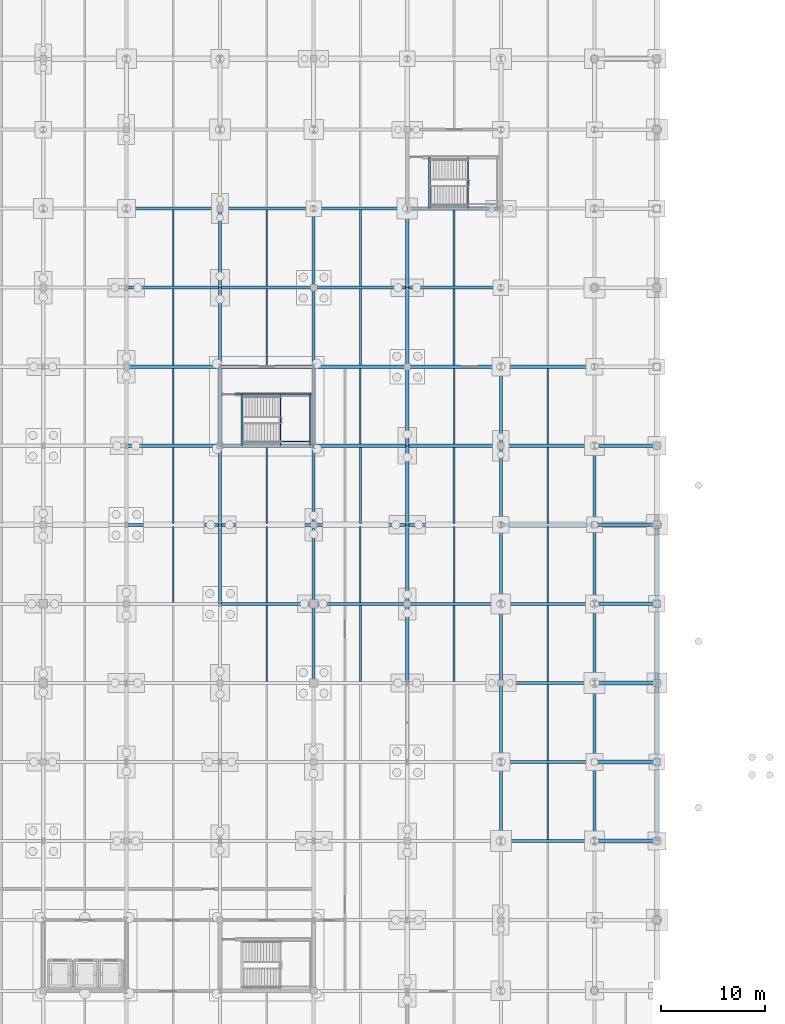
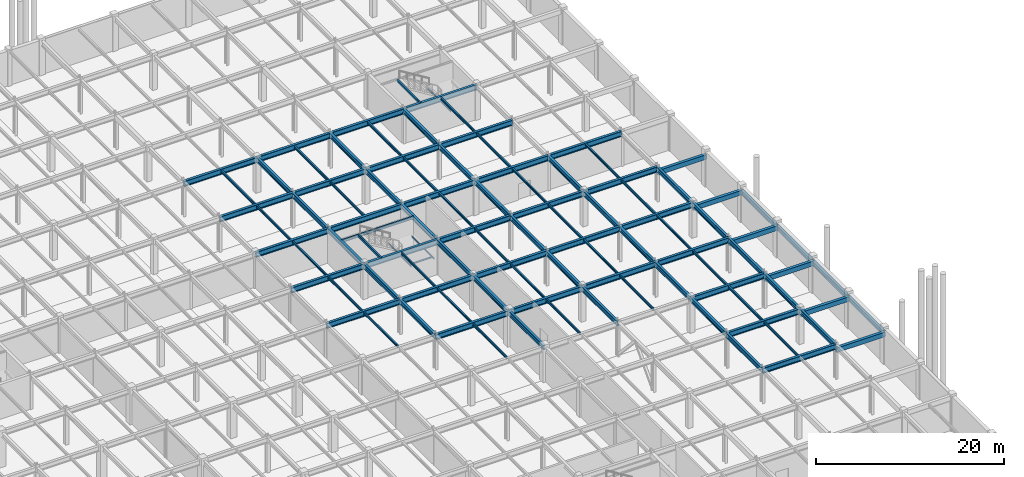
# One storey, part 36 of 53: 103 beams.
"""IFC4 building model written with IfcOpenShell, lengths in metres."""

from ifc_helpers import new_model, si_unit, direction, frame, origin, origin_2d, place, context, subcontext, project, spatial, rectangle, hollow_rectangle, i_section, extrude, material, material_profile, profile_set, type_object, element, save


model = new_model("IFC4")

# Units and contexts
model_context = context("Model", 3, precision=1e-05, world=origin(), true_north=direction((0.0, 1.0)))
body_context = subcontext(model_context, "Body", "Model", "MODEL_VIEW")
ifc_project = project(units=[si_unit("LENGTHUNIT", "METRE"), si_unit("AREAUNIT", "SQUARE_METRE"), si_unit("VOLUMEUNIT", "CUBIC_METRE"), si_unit("PLANEANGLEUNIT", "RADIAN"), si_unit("MASSUNIT", "GRAM", prefix="KILO")], contexts=[model_context])

# Site, building, storey
site_placement = place(None, origin())
site = spatial("IfcSite", under=ifc_project, at=site_placement, CompositionType="ELEMENT")
building_placement = place(site_placement, origin())
building = spatial("IfcBuilding", under=site, at=building_placement, Name="Shalkamar Park Central Library", CompositionType="ELEMENT")
storey_placement = place(building_placement, frame((0.0, 0.0, -4.800048828125)))
storey = spatial("IfcBuildingStorey", under=building, at=storey_placement, Name="B1", CompositionType="ELEMENT", Elevation=-4.800048828125)

# Beams
ifc_material_1 = material(Name="Steel S355", Category="steel")
ifc_material_profile_1 = material_profile(ifc_material_1, i_section(OverallWidth=0.10009765625, OverallDepth=0.199951171875, WebThickness=0.005615234375, FlangeThickness=0.008544921875, FilletRadius=0.011962890625, at=origin_2d()), Name="IPE 200")
ifc_profile_set_1 = profile_set([ifc_material_profile_1], Name="Steel S355")
beam_type_1 = type_object("IfcBeamType", Name="Composite Floor Joist IPE200", PredefinedType="JOIST", material=ifc_profile_set_1)
for number, where, z_axis, x_axis, name in (
    (1, (251.824951171875, 300.800048828125, 2.02001953125), (0.0, 1.0, 0.0), (-1.0, 0.0, 0.0), "Stair Half-Landing Beam ST-P4-B1-1"),
    (2, (254.64501953125, 300.800048828125, 2.02001953125), (0.0, 1.0, 0.0), (-1.0, 0.0, 0.0), "Stair Half-Landing Beam ST-P4-B1-2"),
):
    element("IfcBeam", number, at=place(storey_placement, frame(where, z_axis=z_axis, x_axis=x_axis)), inside=storey, type_object=beam_type_1, Name=name, PredefinedType="JOIST", context=body_context, shape_type="SweptSolid", body=[
        extrude(i_section(OverallWidth=0.10009765625, OverallDepth=0.199951171875, WebThickness=0.005615234375, FlangeThickness=0.008544921875, FilletRadius=0.011962890625, at=origin_2d()), origin(), (0.0, 0.0, 1.0), 4.949951171875),
    ])
beam_1_placement = place(storey_placement, frame((251.824951171875, 301.22509765625, 2.02001953125), z_axis=(1.0, 0.0, 0.0), x_axis=(0.0, 1.0, 0.0)))
element("IfcBeam", 3, at=beam_1_placement, inside=storey, type_object=beam_type_1, Name="Stair Half-Landing Cross Tie ST-P4-B1-3", PredefinedType="JOIST", context=body_context, shape_type="SweptSolid", body=[
    extrude(i_section(OverallWidth=0.10009765625, OverallDepth=0.199951171875, WebThickness=0.005615234375, FlangeThickness=0.008544921875, FilletRadius=0.011962890625, at=origin_2d()), origin(), (0.0, 0.0, 1.0), 2.820068359375),
])
beam_2_placement = place(storey_placement, frame((269.824951171875, 323.60009765625, 2.02001953125), z_axis=(0.0, 1.0, 0.0), x_axis=(-1.0, 0.0, 0.0)))
element("IfcBeam", 4, at=beam_2_placement, inside=storey, type_object=beam_type_1, Name="Stair Half-Landing Beam ST-P6-B1-1", PredefinedType="JOIST", context=body_context, shape_type="SweptSolid", body=[
    extrude(i_section(OverallWidth=0.10009765625, OverallDepth=0.199951171875, WebThickness=0.005615234375, FlangeThickness=0.008544921875, FilletRadius=0.011962890625, at=origin_2d()), origin(), (0.0, 0.0, 1.0), 4.949951171875),
])
ifc_material_profile_2 = material_profile(ifc_material_1, i_section(OverallWidth=0.14990234375, OverallDepth=0.300048828125, WebThickness=0.007080078125, FlangeThickness=0.0107421875, FilletRadius=0.014892578125, at=origin_2d()), Name="IPE 300")
ifc_profile_set_2 = profile_set([ifc_material_profile_2], Name="Steel S355")
beam_type_2 = type_object("IfcBeamType", Name="Composite Floor Joist IPE300", PredefinedType="JOIST", material=ifc_profile_set_2)
for number, where, z_axis, x_axis, name in (
    (5, (241.5, 285.748046875, 4.360107421875), (0.0, 1.0, 0.0), (-1.0, 0.0, 0.0), "Composite Joist 16/G-1 (B1)"),
    (6, (241.5, 300.947998046875, 4.360107421875), (0.0, 1.0, 0.0), (-1.0, 0.0, 0.0), "Composite Joist 16/J-1 (B1)"),
    (7, (250.5, 285.748046875, 4.360107421875), (0.0, 1.0, 0.0), (-1.0, 0.0, 0.0), "Composite Joist 17/G-1 (B1)"),
    (8, (259.5, 285.748046875, 4.360107421875), (0.0, 1.0, 0.0), (-1.0, 0.0, 0.0), "Composite Joist 18/G-1 (B1)"),
    (9, (259.5, 300.947998046875, 4.360107421875), (0.0, 1.0, 0.0), (-1.0, 0.0, 0.0), "Composite Joist 18/J-1 (B1)"),
    (10, (268.5, 285.748046875, 4.360107421875), (0.0, 1.0, 0.0), (-1.0, 0.0, 0.0), "Composite Joist 19/G-1 (B1)"),
    (11, (268.5, 300.947998046875, 4.360107421875), (0.0, 1.0, 0.0), (-1.0, 0.0, 0.0), "Composite Joist 19/J-1 (B1)"),
    (12, (277.5, 262.947998046875, 4.360107421875), (0.0, 1.0, 0.0), (-1.0, 0.0, 0.0), "Composite Joist 20/D-1 (B1)"),
    (13, (277.5, 285.748046875, 4.360107421875), (0.0, 1.0, 0.0), (-1.0, 0.0, 0.0), "Composite Joist 20/G-1 (B1)"),
    (14, (277.5, 300.947998046875, 4.360107421875), (0.0, 1.0, 0.0), (-1.0, 0.0, 0.0), "Composite Joist 20/J-1 (B1)"),
):
    element("IfcBeam", number, at=place(storey_placement, frame(where, z_axis=z_axis, x_axis=x_axis)), inside=storey, type_object=beam_type_2, Name=name, PredefinedType="JOIST", context=body_context, shape_type="SweptSolid", body=[
        extrude(i_section(OverallWidth=0.14990234375, OverallDepth=0.300048828125, WebThickness=0.007080078125, FlangeThickness=0.0107421875, FilletRadius=0.014892578125, at=origin_2d()), origin(), (0.0, 0.0, 1.0), 7.303955078125),
    ])
ifc_material_profile_3 = material_profile(ifc_material_1, i_section(OverallWidth=0.159912109375, OverallDepth=0.330078125, WebThickness=0.007568359375, FlangeThickness=0.011474609375, FilletRadius=0.01806640625, at=origin_2d()), Name="IPE 330")
ifc_profile_set_3 = profile_set([ifc_material_profile_3], Name="Steel S355")
beam_type_3 = type_object("IfcBeamType", Name="Composite Floor Joist IPE330", PredefinedType="JOIST", material=ifc_profile_set_3)
beam_3_placement = place(storey_placement, frame((241.5, 293.347900390625, 4.344970703125), z_axis=(0.0, 1.0, 0.0), x_axis=(-1.0, 0.0, 0.0)))
element("IfcBeam", 15, at=beam_3_placement, inside=storey, type_object=beam_type_3, Name="Composite Joist 16/H-1 (B1)", PredefinedType="JOIST", context=body_context, shape_type="SweptSolid", body=[
    extrude(i_section(OverallWidth=0.159912109375, OverallDepth=0.330078125, WebThickness=0.007568359375, FlangeThickness=0.011474609375, FilletRadius=0.01806640625, at=origin_2d()), origin(), (0.0, 0.0, 1.0), 7.30419921875),
])
for number, where, z_axis, x_axis, name in (
    (16, (241.5, 308.548095703125, 4.344970703125), (0.0, 1.0, 0.0), (-1.0, 0.0, 0.0), "Composite Joist 16/K-1 (B1)"),
    (17, (241.5, 316.14794921875, 4.344970703125), (0.0, 1.0, 0.0), (-1.0, 0.0, 0.0), "Composite Joist 16/L-1 (B1)"),
    (18, (250.5, 278.14794921875, 4.344970703125), (0.0, 1.0, 0.0), (-1.0, 0.0, 0.0), "Composite Joist 17/F-1 (B1)"),
):
    element("IfcBeam", number, at=place(storey_placement, frame(where, z_axis=z_axis, x_axis=x_axis)), inside=storey, type_object=beam_type_3, Name=name, PredefinedType="JOIST", context=body_context, shape_type="SweptSolid", body=[
        extrude(i_section(OverallWidth=0.159912109375, OverallDepth=0.330078125, WebThickness=0.007568359375, FlangeThickness=0.011474609375, FilletRadius=0.01806640625, at=origin_2d()), origin(), (0.0, 0.0, 1.0), 7.303955078125),
    ])
beam_4_placement = place(storey_placement, frame((250.5, 293.347900390625, 4.344970703125), z_axis=(0.0, 1.0, 0.0), x_axis=(-1.0, 0.0, 0.0)))
element("IfcBeam", 19, at=beam_4_placement, inside=storey, type_object=beam_type_3, Name="Composite Joist 17/H-1 (B1)", PredefinedType="JOIST", context=body_context, shape_type="SweptSolid", body=[
    extrude(i_section(OverallWidth=0.159912109375, OverallDepth=0.330078125, WebThickness=0.007568359375, FlangeThickness=0.011474609375, FilletRadius=0.01806640625, at=origin_2d()), origin(), (0.0, 0.0, 1.0), 7.30419921875),
])
for number, where, z_axis, x_axis, name in (
    (20, (250.5, 308.548095703125, 4.344970703125), (0.0, 1.0, 0.0), (-1.0, 0.0, 0.0), "Composite Joist 17/K-1 (B1)"),
    (21, (250.5, 316.14794921875, 4.344970703125), (0.0, 1.0, 0.0), (-1.0, 0.0, 0.0), "Composite Joist 17/L-1 (B1)"),
    (22, (259.5, 278.14794921875, 4.344970703125), (0.0, 1.0, 0.0), (-1.0, 0.0, 0.0), "Composite Joist 18/F-1 (B1)"),
):
    element("IfcBeam", number, at=place(storey_placement, frame(where, z_axis=z_axis, x_axis=x_axis)), inside=storey, type_object=beam_type_3, Name=name, PredefinedType="JOIST", context=body_context, shape_type="SweptSolid", body=[
        extrude(i_section(OverallWidth=0.159912109375, OverallDepth=0.330078125, WebThickness=0.007568359375, FlangeThickness=0.011474609375, FilletRadius=0.01806640625, at=origin_2d()), origin(), (0.0, 0.0, 1.0), 7.303955078125),
    ])
beam_5_placement = place(storey_placement, frame((259.5, 293.347900390625, 4.344970703125), z_axis=(0.0, 1.0, 0.0), x_axis=(-1.0, 0.0, 0.0)))
element("IfcBeam", 23, at=beam_5_placement, inside=storey, type_object=beam_type_3, Name="Composite Joist 18/H-1 (B1)", PredefinedType="JOIST", context=body_context, shape_type="SweptSolid", body=[
    extrude(i_section(OverallWidth=0.159912109375, OverallDepth=0.330078125, WebThickness=0.007568359375, FlangeThickness=0.011474609375, FilletRadius=0.01806640625, at=origin_2d()), origin(), (0.0, 0.0, 1.0), 7.30419921875),
])
for number, where, z_axis, x_axis, name in (
    (24, (259.5, 308.548095703125, 4.344970703125), (0.0, 1.0, 0.0), (-1.0, 0.0, 0.0), "Composite Joist 18/K-1 (B1)"),
    (25, (259.5, 316.14794921875, 4.344970703125), (0.0, 1.0, 0.0), (-1.0, 0.0, 0.0), "Composite Joist 18/L-1 (B1)"),
    (26, (268.5, 278.14794921875, 4.344970703125), (0.0, 1.0, 0.0), (-1.0, 0.0, 0.0), "Composite Joist 19/F-1 (B1)"),
):
    element("IfcBeam", number, at=place(storey_placement, frame(where, z_axis=z_axis, x_axis=x_axis)), inside=storey, type_object=beam_type_3, Name=name, PredefinedType="JOIST", context=body_context, shape_type="SweptSolid", body=[
        extrude(i_section(OverallWidth=0.159912109375, OverallDepth=0.330078125, WebThickness=0.007568359375, FlangeThickness=0.011474609375, FilletRadius=0.01806640625, at=origin_2d()), origin(), (0.0, 0.0, 1.0), 7.303955078125),
    ])
beam_6_placement = place(storey_placement, frame((268.5, 293.347900390625, 4.344970703125), z_axis=(0.0, 1.0, 0.0), x_axis=(-1.0, 0.0, 0.0)))
element("IfcBeam", 27, at=beam_6_placement, inside=storey, type_object=beam_type_3, Name="Composite Joist 19/H-1 (B1)", PredefinedType="JOIST", context=body_context, shape_type="SweptSolid", body=[
    extrude(i_section(OverallWidth=0.159912109375, OverallDepth=0.330078125, WebThickness=0.007568359375, FlangeThickness=0.011474609375, FilletRadius=0.01806640625, at=origin_2d()), origin(), (0.0, 0.0, 1.0), 7.30419921875),
])
for number, where, z_axis, x_axis, name in (
    (28, (268.5, 308.548095703125, 4.344970703125), (0.0, 1.0, 0.0), (-1.0, 0.0, 0.0), "Composite Joist 19/K-1 (B1)"),
    (29, (268.5, 316.14794921875, 4.344970703125), (0.0, 1.0, 0.0), (-1.0, 0.0, 0.0), "Composite Joist 19/L-1 (B1)"),
    (30, (277.5, 270.548095703125, 4.344970703125), (0.0, 1.0, 0.0), (-1.0, 0.0, 0.0), "Composite Joist 20/E-1 (B1)"),
    (31, (277.5, 278.14794921875, 4.344970703125), (0.0, 1.0, 0.0), (-1.0, 0.0, 0.0), "Composite Joist 20/F-1 (B1)"),
):
    element("IfcBeam", number, at=place(storey_placement, frame(where, z_axis=z_axis, x_axis=x_axis)), inside=storey, type_object=beam_type_3, Name=name, PredefinedType="JOIST", context=body_context, shape_type="SweptSolid", body=[
        extrude(i_section(OverallWidth=0.159912109375, OverallDepth=0.330078125, WebThickness=0.007568359375, FlangeThickness=0.011474609375, FilletRadius=0.01806640625, at=origin_2d()), origin(), (0.0, 0.0, 1.0), 7.303955078125),
    ])
beam_7_placement = place(storey_placement, frame((277.5, 293.347900390625, 4.344970703125), z_axis=(0.0, 1.0, 0.0), x_axis=(-1.0, 0.0, 0.0)))
element("IfcBeam", 32, at=beam_7_placement, inside=storey, type_object=beam_type_3, Name="Composite Joist 20/H-1 (B1)", PredefinedType="JOIST", context=body_context, shape_type="SweptSolid", body=[
    extrude(i_section(OverallWidth=0.159912109375, OverallDepth=0.330078125, WebThickness=0.007568359375, FlangeThickness=0.011474609375, FilletRadius=0.01806640625, at=origin_2d()), origin(), (0.0, 0.0, 1.0), 7.30419921875),
])
ifc_material_profile_4 = material_profile(ifc_material_1, i_section(OverallWidth=0.300048828125, OverallDepth=0.60009765625, WebThickness=0.015380859375, FlangeThickness=0.030029296875, FilletRadius=0.027099609375, at=origin_2d()), Name="HEB 600")
ifc_profile_set_4 = profile_set([ifc_material_profile_4], Name="Steel S355")
beam_type_4 = type_object("IfcBeamType", Name="Primary Girder HEB600", PredefinedType="BEAM", material=ifc_profile_set_4)
beam_8_placement = place(storey_placement, frame((246.0, 285.60009765625, 4.2099609375), z_axis=(0.0, 1.0, 0.0), x_axis=(-1.0, 0.0, 0.0)))
element("IfcBeam", 33, at=beam_8_placement, inside=storey, type_object=beam_type_4, Name="Beam 17:G-H (B1)", PredefinedType="BEAM", context=body_context, shape_type="SweptSolid", body=[
    extrude(i_section(OverallWidth=0.300048828125, OverallDepth=0.60009765625, WebThickness=0.015380859375, FlangeThickness=0.030029296875, FilletRadius=0.027099609375, at=origin_2d()), origin(), (0.0, 0.0, 1.0), 7.599853515625),
])
beam_9_placement = place(storey_placement, frame((246.0, 293.199951171875, 4.2099609375), z_axis=(0.0, 1.0, 0.0), x_axis=(-1.0, 0.0, 0.0)))
element("IfcBeam", 34, at=beam_9_placement, inside=storey, type_object=beam_type_4, Name="Beam 17:H-J (B1)", PredefinedType="BEAM", context=body_context, shape_type="SweptSolid", body=[
    extrude(i_section(OverallWidth=0.300048828125, OverallDepth=0.60009765625, WebThickness=0.015380859375, FlangeThickness=0.030029296875, FilletRadius=0.027099609375, at=origin_2d()), origin(), (0.0, 0.0, 1.0), 7.60009765625),
])
beam_10_placement = place(storey_placement, frame((246.0, 300.800048828125, 4.2099609375), z_axis=(0.0, 1.0, 0.0), x_axis=(-1.0, 0.0, 0.0)))
element("IfcBeam", 35, at=beam_10_placement, inside=storey, type_object=beam_type_4, Name="Beam 17:J-K (B1)", PredefinedType="BEAM", context=body_context, shape_type="SweptSolid", body=[
    extrude(i_section(OverallWidth=0.300048828125, OverallDepth=0.60009765625, WebThickness=0.015380859375, FlangeThickness=0.030029296875, FilletRadius=0.027099609375, at=origin_2d()), origin(), (0.0, 0.0, 1.0), 7.599853515625),
])
for number, where, z_axis, x_axis, name in (
    (36, (246.0, 308.39990234375, 4.2099609375), (0.0, 1.0, 0.0), (-1.0, 0.0, 0.0), "Beam 17:K-L (B1)"),
    (37, (246.0, 316.0, 4.2099609375), (0.0, 1.0, 0.0), (-1.0, 0.0, 0.0), "Beam 17:L-M (B1)"),
    (38, (255.0, 278.0, 4.2099609375), (0.0, 1.0, 0.0), (-1.0, 0.0, 0.0), "Beam 18:F-G (B1)"),
):
    element("IfcBeam", number, at=place(storey_placement, frame(where, z_axis=z_axis, x_axis=x_axis)), inside=storey, type_object=beam_type_4, Name=name, PredefinedType="BEAM", context=body_context, shape_type="SweptSolid", body=[
        extrude(i_section(OverallWidth=0.300048828125, OverallDepth=0.60009765625, WebThickness=0.015380859375, FlangeThickness=0.030029296875, FilletRadius=0.027099609375, at=origin_2d()), origin(), (0.0, 0.0, 1.0), 7.60009765625),
    ])
beam_11_placement = place(storey_placement, frame((255.0, 285.60009765625, 4.2099609375), z_axis=(0.0, 1.0, 0.0), x_axis=(-1.0, 0.0, 0.0)))
element("IfcBeam", 39, at=beam_11_placement, inside=storey, type_object=beam_type_4, Name="Beam 18:G-H (B1)", PredefinedType="BEAM", context=body_context, shape_type="SweptSolid", body=[
    extrude(i_section(OverallWidth=0.300048828125, OverallDepth=0.60009765625, WebThickness=0.015380859375, FlangeThickness=0.030029296875, FilletRadius=0.027099609375, at=origin_2d()), origin(), (0.0, 0.0, 1.0), 7.599853515625),
])
beam_12_placement = place(storey_placement, frame((255.0, 293.199951171875, 4.2099609375), z_axis=(0.0, 1.0, 0.0), x_axis=(-1.0, 0.0, 0.0)))
element("IfcBeam", 40, at=beam_12_placement, inside=storey, type_object=beam_type_4, Name="Beam 18:H-J (B1)", PredefinedType="BEAM", context=body_context, shape_type="SweptSolid", body=[
    extrude(i_section(OverallWidth=0.300048828125, OverallDepth=0.60009765625, WebThickness=0.015380859375, FlangeThickness=0.030029296875, FilletRadius=0.027099609375, at=origin_2d()), origin(), (0.0, 0.0, 1.0), 7.60009765625),
])
beam_13_placement = place(storey_placement, frame((255.0, 300.800048828125, 4.2099609375), z_axis=(0.0, 1.0, 0.0), x_axis=(-1.0, 0.0, 0.0)))
element("IfcBeam", 41, at=beam_13_placement, inside=storey, type_object=beam_type_4, Name="Beam 18:J-K (B1)", PredefinedType="BEAM", context=body_context, shape_type="SweptSolid", body=[
    extrude(i_section(OverallWidth=0.300048828125, OverallDepth=0.60009765625, WebThickness=0.015380859375, FlangeThickness=0.030029296875, FilletRadius=0.027099609375, at=origin_2d()), origin(), (0.0, 0.0, 1.0), 7.599853515625),
])
for number, where, z_axis, x_axis, name in (
    (42, (255.0, 308.39990234375, 4.2099609375), (0.0, 1.0, 0.0), (-1.0, 0.0, 0.0), "Beam 18:K-L (B1)"),
    (43, (255.0, 316.0, 4.2099609375), (0.0, 1.0, 0.0), (-1.0, 0.0, 0.0), "Beam 18:L-M (B1)"),
    (44, (264.0, 278.0, 4.2099609375), (0.0, 1.0, 0.0), (-1.0, 0.0, 0.0), "Beam 19:F-G (B1)"),
):
    element("IfcBeam", number, at=place(storey_placement, frame(where, z_axis=z_axis, x_axis=x_axis)), inside=storey, type_object=beam_type_4, Name=name, PredefinedType="BEAM", context=body_context, shape_type="SweptSolid", body=[
        extrude(i_section(OverallWidth=0.300048828125, OverallDepth=0.60009765625, WebThickness=0.015380859375, FlangeThickness=0.030029296875, FilletRadius=0.027099609375, at=origin_2d()), origin(), (0.0, 0.0, 1.0), 7.60009765625),
    ])
beam_14_placement = place(storey_placement, frame((264.0, 285.60009765625, 4.2099609375), z_axis=(0.0, 1.0, 0.0), x_axis=(-1.0, 0.0, 0.0)))
element("IfcBeam", 45, at=beam_14_placement, inside=storey, type_object=beam_type_4, Name="Beam 19:G-H (B1)", PredefinedType="BEAM", context=body_context, shape_type="SweptSolid", body=[
    extrude(i_section(OverallWidth=0.300048828125, OverallDepth=0.60009765625, WebThickness=0.015380859375, FlangeThickness=0.030029296875, FilletRadius=0.027099609375, at=origin_2d()), origin(), (0.0, 0.0, 1.0), 7.599853515625),
])
beam_15_placement = place(storey_placement, frame((264.0, 293.199951171875, 4.2099609375), z_axis=(0.0, 1.0, 0.0), x_axis=(-1.0, 0.0, 0.0)))
element("IfcBeam", 46, at=beam_15_placement, inside=storey, type_object=beam_type_4, Name="Beam 19:H-J (B1)", PredefinedType="BEAM", context=body_context, shape_type="SweptSolid", body=[
    extrude(i_section(OverallWidth=0.300048828125, OverallDepth=0.60009765625, WebThickness=0.015380859375, FlangeThickness=0.030029296875, FilletRadius=0.027099609375, at=origin_2d()), origin(), (0.0, 0.0, 1.0), 7.60009765625),
])
beam_16_placement = place(storey_placement, frame((264.0, 300.800048828125, 4.2099609375), z_axis=(0.0, 1.0, 0.0), x_axis=(-1.0, 0.0, 0.0)))
element("IfcBeam", 47, at=beam_16_placement, inside=storey, type_object=beam_type_4, Name="Beam 19:J-K (B1)", PredefinedType="BEAM", context=body_context, shape_type="SweptSolid", body=[
    extrude(i_section(OverallWidth=0.300048828125, OverallDepth=0.60009765625, WebThickness=0.015380859375, FlangeThickness=0.030029296875, FilletRadius=0.027099609375, at=origin_2d()), origin(), (0.0, 0.0, 1.0), 7.599853515625),
])
for number, where, z_axis, x_axis, name in (
    (48, (264.0, 308.39990234375, 4.2099609375), (0.0, 1.0, 0.0), (-1.0, 0.0, 0.0), "Beam 19:K-L (B1)"),
    (49, (264.0, 316.0, 4.2099609375), (0.0, 1.0, 0.0), (-1.0, 0.0, 0.0), "Beam 19:L-M (B1)"),
):
    element("IfcBeam", number, at=place(storey_placement, frame(where, z_axis=z_axis, x_axis=x_axis)), inside=storey, type_object=beam_type_4, Name=name, PredefinedType="BEAM", context=body_context, shape_type="SweptSolid", body=[
        extrude(i_section(OverallWidth=0.300048828125, OverallDepth=0.60009765625, WebThickness=0.015380859375, FlangeThickness=0.030029296875, FilletRadius=0.027099609375, at=origin_2d()), origin(), (0.0, 0.0, 1.0), 7.60009765625),
    ])
beam_17_placement = place(storey_placement, frame((273.0, 262.800048828125, 4.2099609375), z_axis=(0.0, 1.0, 0.0), x_axis=(-1.0, 0.0, 0.0)))
element("IfcBeam", 50, at=beam_17_placement, inside=storey, type_object=beam_type_4, Name="Beam 20:D-E (B1)", PredefinedType="BEAM", context=body_context, shape_type="SweptSolid", body=[
    extrude(i_section(OverallWidth=0.300048828125, OverallDepth=0.60009765625, WebThickness=0.015380859375, FlangeThickness=0.030029296875, FilletRadius=0.027099609375, at=origin_2d()), origin(), (0.0, 0.0, 1.0), 7.599853515625),
])
for number, where, z_axis, x_axis, name in (
    (51, (273.0, 270.39990234375, 4.2099609375), (0.0, 1.0, 0.0), (-1.0, 0.0, 0.0), "Beam 20:E-F (B1)"),
    (52, (273.0, 278.0, 4.2099609375), (0.0, 1.0, 0.0), (-1.0, 0.0, 0.0), "Beam 20:F-G (B1)"),
):
    element("IfcBeam", number, at=place(storey_placement, frame(where, z_axis=z_axis, x_axis=x_axis)), inside=storey, type_object=beam_type_4, Name=name, PredefinedType="BEAM", context=body_context, shape_type="SweptSolid", body=[
        extrude(i_section(OverallWidth=0.300048828125, OverallDepth=0.60009765625, WebThickness=0.015380859375, FlangeThickness=0.030029296875, FilletRadius=0.027099609375, at=origin_2d()), origin(), (0.0, 0.0, 1.0), 7.60009765625),
    ])
beam_18_placement = place(storey_placement, frame((273.0, 285.60009765625, 4.2099609375), z_axis=(0.0, 1.0, 0.0), x_axis=(-1.0, 0.0, 0.0)))
element("IfcBeam", 53, at=beam_18_placement, inside=storey, type_object=beam_type_4, Name="Beam 20:G-H (B1)", PredefinedType="BEAM", context=body_context, shape_type="SweptSolid", body=[
    extrude(i_section(OverallWidth=0.300048828125, OverallDepth=0.60009765625, WebThickness=0.015380859375, FlangeThickness=0.030029296875, FilletRadius=0.027099609375, at=origin_2d()), origin(), (0.0, 0.0, 1.0), 7.599853515625),
])
beam_19_placement = place(storey_placement, frame((273.0, 293.199951171875, 4.2099609375), z_axis=(0.0, 1.0, 0.0), x_axis=(-1.0, 0.0, 0.0)))
element("IfcBeam", 54, at=beam_19_placement, inside=storey, type_object=beam_type_4, Name="Beam 20:H-J (B1)", PredefinedType="BEAM", context=body_context, shape_type="SweptSolid", body=[
    extrude(i_section(OverallWidth=0.300048828125, OverallDepth=0.60009765625, WebThickness=0.015380859375, FlangeThickness=0.030029296875, FilletRadius=0.027099609375, at=origin_2d()), origin(), (0.0, 0.0, 1.0), 7.60009765625),
])
for number, where, z_axis, x_axis, name in (
    (55, (273.0, 300.800048828125, 4.2099609375), (0.0, 1.0, 0.0), (-1.0, 0.0, 0.0), "Beam 20:J-K (B1)"),
    (56, (282.0, 262.800048828125, 4.2099609375), (0.0, 1.0, 0.0), (-1.0, 0.0, 0.0), "Beam 21:D-E (B1)"),
):
    element("IfcBeam", number, at=place(storey_placement, frame(where, z_axis=z_axis, x_axis=x_axis)), inside=storey, type_object=beam_type_4, Name=name, PredefinedType="BEAM", context=body_context, shape_type="SweptSolid", body=[
        extrude(i_section(OverallWidth=0.300048828125, OverallDepth=0.60009765625, WebThickness=0.015380859375, FlangeThickness=0.030029296875, FilletRadius=0.027099609375, at=origin_2d()), origin(), (0.0, 0.0, 1.0), 7.599853515625),
    ])
for number, where, z_axis, x_axis, name in (
    (57, (282.0, 270.39990234375, 4.2099609375), (0.0, 1.0, 0.0), (-1.0, 0.0, 0.0), "Beam 21:E-F (B1)"),
    (58, (282.0, 278.0, 4.2099609375), (0.0, 1.0, 0.0), (-1.0, 0.0, 0.0), "Beam 21:F-G (B1)"),
):
    element("IfcBeam", number, at=place(storey_placement, frame(where, z_axis=z_axis, x_axis=x_axis)), inside=storey, type_object=beam_type_4, Name=name, PredefinedType="BEAM", context=body_context, shape_type="SweptSolid", body=[
        extrude(i_section(OverallWidth=0.300048828125, OverallDepth=0.60009765625, WebThickness=0.015380859375, FlangeThickness=0.030029296875, FilletRadius=0.027099609375, at=origin_2d()), origin(), (0.0, 0.0, 1.0), 7.60009765625),
    ])
beam_20_placement = place(storey_placement, frame((282.0, 285.60009765625, 4.2099609375), z_axis=(0.0, 1.0, 0.0), x_axis=(-1.0, 0.0, 0.0)))
element("IfcBeam", 59, at=beam_20_placement, inside=storey, type_object=beam_type_4, Name="Beam 21:G-H (B1)", PredefinedType="BEAM", context=body_context, shape_type="SweptSolid", body=[
    extrude(i_section(OverallWidth=0.300048828125, OverallDepth=0.60009765625, WebThickness=0.015380859375, FlangeThickness=0.030029296875, FilletRadius=0.027099609375, at=origin_2d()), origin(), (0.0, 0.0, 1.0), 7.599853515625),
])
beam_21_placement = place(storey_placement, frame((282.0, 293.199951171875, 4.2099609375), z_axis=(0.0, 1.0, 0.0), x_axis=(-1.0, 0.0, 0.0)))
element("IfcBeam", 60, at=beam_21_placement, inside=storey, type_object=beam_type_4, Name="Beam 21:H-J (B1)", PredefinedType="BEAM", context=body_context, shape_type="SweptSolid", body=[
    extrude(i_section(OverallWidth=0.300048828125, OverallDepth=0.60009765625, WebThickness=0.015380859375, FlangeThickness=0.030029296875, FilletRadius=0.027099609375, at=origin_2d()), origin(), (0.0, 0.0, 1.0), 7.60009765625),
])
beam_22_placement = place(storey_placement, frame((288.0, 262.800048828125, 3.699951171875), z_axis=(0.0, 1.0, 0.0), x_axis=(-1.0, 0.0, 0.0)))
element("IfcBeam", 61, at=beam_22_placement, inside=storey, type_object=beam_type_4, Name="Beam 22:D-E (B1)", PredefinedType="BEAM", context=body_context, shape_type="SweptSolid", body=[
    extrude(i_section(OverallWidth=0.300048828125, OverallDepth=0.60009765625, WebThickness=0.015380859375, FlangeThickness=0.030029296875, FilletRadius=0.027099609375, at=origin_2d()), origin(), (0.0, 0.0, 1.0), 7.599853515625),
])
for number, where, z_axis, x_axis, name in (
    (62, (288.0, 270.39990234375, 3.699951171875), (0.0, 1.0, 0.0), (-1.0, 0.0, 0.0), "Beam 22:E-F (B1)"),
    (63, (288.0, 278.0, 3.699951171875), (0.0, 1.0, 0.0), (-1.0, 0.0, 0.0), "Beam 22:F-G (B1)"),
):
    element("IfcBeam", number, at=place(storey_placement, frame(where, z_axis=z_axis, x_axis=x_axis)), inside=storey, type_object=beam_type_4, Name=name, PredefinedType="BEAM", context=body_context, shape_type="SweptSolid", body=[
        extrude(i_section(OverallWidth=0.300048828125, OverallDepth=0.60009765625, WebThickness=0.015380859375, FlangeThickness=0.030029296875, FilletRadius=0.027099609375, at=origin_2d()), origin(), (0.0, 0.0, 1.0), 7.60009765625),
    ])
beam_23_placement = place(storey_placement, frame((288.0, 285.60009765625, 3.699951171875), z_axis=(0.0, 1.0, 0.0), x_axis=(-1.0, 0.0, 0.0)))
element("IfcBeam", 64, at=beam_23_placement, inside=storey, type_object=beam_type_4, Name="Beam 22:G-H (B1)", PredefinedType="BEAM", context=body_context, shape_type="SweptSolid", body=[
    extrude(i_section(OverallWidth=0.300048828125, OverallDepth=0.60009765625, WebThickness=0.015380859375, FlangeThickness=0.030029296875, FilletRadius=0.027099609375, at=origin_2d()), origin(), (0.0, 0.0, 1.0), 7.599853515625),
])
ifc_material_profile_5 = material_profile(ifc_material_1, i_section(OverallWidth=0.300048828125, OverallDepth=0.699951171875, WebThickness=0.01708984375, FlangeThickness=0.031982421875, FilletRadius=0.027099609375, at=origin_2d()), Name="HEB 700")
ifc_profile_set_5 = profile_set([ifc_material_profile_5], Name="Steel S355")
beam_type_5 = type_object("IfcBeamType", Name="Primary Girder HEB700", PredefinedType="BEAM", material=ifc_profile_set_5)
for number, where, z_axis, x_axis, name in (
    (65, (273.0, 262.800048828125, 4.16015625), (1.0, 0.0, 0.0), (0.0, 1.0, 0.0), "Beam D:20-21 (B1)"),
    (66, (273.0, 270.39990234375, 4.16015625), (1.0, 0.0, 0.0), (0.0, 1.0, 0.0), "Beam E:20-21 (B1)"),
    (67, (273.0, 278.0, 4.16015625), (1.0, 0.0, 0.0), (0.0, 1.0, 0.0), "Beam F:20-21 (B1)"),
    (68, (246.0, 285.60009765625, 4.16015625), (1.0, 0.0, 0.0), (0.0, 1.0, 0.0), "Beam G:17-18 (B1)"),
    (69, (255.0, 285.60009765625, 4.16015625), (1.0, 0.0, 0.0), (0.0, 1.0, 0.0), "Beam G:18-19 (B1)"),
    (70, (264.0, 285.60009765625, 4.16015625), (1.0, 0.0, 0.0), (0.0, 1.0, 0.0), "Beam G:19-20 (B1)"),
    (71, (273.0, 285.60009765625, 4.16015625), (1.0, 0.0, 0.0), (0.0, 1.0, 0.0), "Beam G:20-21 (B1)"),
    (72, (237.0, 293.199951171875, 4.16015625), (1.0, 0.0, 0.0), (0.0, 1.0, 0.0), "Beam H:16-17 (B1)"),
    (73, (246.0, 293.199951171875, 4.16015625), (1.0, 0.0, 0.0), (0.0, 1.0, 0.0), "Beam H:17-18 (B1)"),
    (74, (255.0, 293.199951171875, 4.16015625), (1.0, 0.0, 0.0), (0.0, 1.0, 0.0), "Beam H:18-19 (B1)"),
    (75, (264.0, 293.199951171875, 4.16015625), (1.0, 0.0, 0.0), (0.0, 1.0, 0.0), "Beam H:19-20 (B1)"),
    (76, (273.0, 293.199951171875, 4.16015625), (1.0, 0.0, 0.0), (0.0, 1.0, 0.0), "Beam H:20-21 (B1)"),
    (77, (237.0, 300.800048828125, 4.16015625), (1.0, 0.0, 0.0), (0.0, 1.0, 0.0), "Beam J:16-17 (B1)"),
    (78, (246.0, 300.800048828125, 4.16015625), (1.0, 0.0, 0.0), (0.0, 1.0, 0.0), "Beam J:17-18 (B1)"),
    (79, (255.0, 300.800048828125, 4.16015625), (1.0, 0.0, 0.0), (0.0, 1.0, 0.0), "Beam J:18-19 (B1)"),
    (80, (264.0, 300.800048828125, 4.16015625), (1.0, 0.0, 0.0), (0.0, 1.0, 0.0), "Beam J:19-20 (B1)"),
    (81, (273.0, 300.800048828125, 4.16015625), (1.0, 0.0, 0.0), (0.0, 1.0, 0.0), "Beam J:20-21 (B1)"),
    (82, (237.0, 308.39990234375, 4.16015625), (1.0, 0.0, 0.0), (0.0, 1.0, 0.0), "Beam K:16-17 (B1)"),
    (83, (246.0, 308.39990234375, 4.16015625), (1.0, 0.0, 0.0), (0.0, 1.0, 0.0), "Beam K:17-18 (B1)"),
    (84, (255.0, 308.39990234375, 4.16015625), (1.0, 0.0, 0.0), (0.0, 1.0, 0.0), "Beam K:18-19 (B1)"),
    (85, (264.0, 308.39990234375, 4.16015625), (1.0, 0.0, 0.0), (0.0, 1.0, 0.0), "Beam K:19-20 (B1)"),
    (86, (273.0, 308.39990234375, 4.16015625), (1.0, 0.0, 0.0), (0.0, 1.0, 0.0), "Beam K:20-21 (B1)"),
    (87, (237.0, 316.0, 4.16015625), (1.0, 0.0, 0.0), (0.0, 1.0, 0.0), "Beam L:16-17 (B1)"),
    (88, (246.0, 316.0, 4.16015625), (1.0, 0.0, 0.0), (0.0, 1.0, 0.0), "Beam L:17-18 (B1)"),
    (89, (255.0, 316.0, 4.16015625), (1.0, 0.0, 0.0), (0.0, 1.0, 0.0), "Beam L:18-19 (B1)"),
    (90, (264.0, 316.0, 4.16015625), (1.0, 0.0, 0.0), (0.0, 1.0, 0.0), "Beam L:19-20 (B1)"),
    (91, (237.0, 323.60009765625, 4.16015625), (1.0, 0.0, 0.0), (0.0, 1.0, 0.0), "Beam M:16-17 (B1)"),
    (92, (246.0, 323.60009765625, 4.16015625), (1.0, 0.0, 0.0), (0.0, 1.0, 0.0), "Beam M:17-18 (B1)"),
    (93, (255.0, 323.60009765625, 4.16015625), (1.0, 0.0, 0.0), (0.0, 1.0, 0.0), "Beam M:18-19 (B1)"),
    (94, (264.0, 323.60009765625, 4.16015625), (1.0, 0.0, 0.0), (0.0, 1.0, 0.0), "Beam M:19-20 (B1)"),
):
    element("IfcBeam", number, at=place(storey_placement, frame(where, z_axis=z_axis, x_axis=x_axis)), inside=storey, type_object=beam_type_5, Name=name, PredefinedType="BEAM", context=body_context, shape_type="SweptSolid", body=[
        extrude(i_section(OverallWidth=0.300048828125, OverallDepth=0.699951171875, WebThickness=0.01708984375, FlangeThickness=0.031982421875, FilletRadius=0.027099609375, at=origin_2d()), origin(), (0.0, 0.0, 1.0), 9.0),
    ])
ifc_material_profile_6 = material_profile(ifc_material_1, i_section(OverallWidth=0.169921875, OverallDepth=0.360107421875, WebThickness=0.008056640625, FlangeThickness=0.0126953125, FilletRadius=0.01806640625, at=origin_2d()), Name="IPE 360")
ifc_profile_set_6 = profile_set([ifc_material_profile_6], Name="Steel S355")
beam_type_6 = type_object("IfcBeamType", Name="Primary Girder IPE360", PredefinedType="BEAM", material=ifc_profile_set_6)
beam_24_placement = place(storey_placement, frame((246.087890625, 305.75, 4.330078125), z_axis=(1.0, 0.0, 0.0), x_axis=(0.0, 1.0, 0.0)))
element("IfcBeam", 95, at=beam_24_placement, inside=storey, type_object=beam_type_6, Name="CORE-P4 Stairwell Divider Beam (B1)", PredefinedType="BEAM", context=body_context, shape_type="SweptSolid", body=[
    extrude(i_section(OverallWidth=0.169921875, OverallDepth=0.360107421875, WebThickness=0.008056640625, FlangeThickness=0.0126953125, FilletRadius=0.01806640625, at=origin_2d()), origin(), (0.0, 0.0, 1.0), 8.82421875),
])
ifc_material_profile_7 = material_profile(ifc_material_1, hollow_rectangle(XDim=0.199951171875, YDim=0.300048828125, WallThickness=0.011962890625, InnerFilletRadius=0.011962890625, OuterFilletRadius=0.01806640625, at=origin_2d()), Name="RHS 300x200x12")
ifc_profile_set_7 = profile_set([ifc_material_profile_7], Name="Steel S355")
beam_type_7 = type_object("IfcBeamType", Name="Stair Trimmer Box RHS300x200", PredefinedType="BEAM", material=ifc_profile_set_7)
for number, where, z_axis, x_axis, name in (
    (96, (248.125, 300.800048828125, 4.360107421875), (0.0, 1.0, 0.0), (-1.0, 0.0, 0.0), "Stair Arrival Trimmer Girder ST-P4-B1"),
    (97, (266.125, 323.60009765625, 4.360107421875), (0.0, 1.0, 0.0), (-1.0, 0.0, 0.0), "Stair Arrival Trimmer Girder ST-P6-B1"),
):
    element("IfcBeam", number, at=place(storey_placement, frame(where, z_axis=z_axis, x_axis=x_axis)), inside=storey, type_object=beam_type_7, Name=name, PredefinedType="BEAM", context=body_context, shape_type="SweptSolid", body=[
        extrude(hollow_rectangle(XDim=0.199951171875, YDim=0.300048828125, WallThickness=0.011962890625, InnerFilletRadius=0.011962890625, OuterFilletRadius=0.01806640625, at=origin_2d()), origin(), (0.0, 0.0, 1.0), 4.949951171875),
    ])
ifc_material_2 = material(Name="Concrete C35/45", Category="concrete")
ifc_material_profile_8 = material_profile(ifc_material_2, rectangle(XDim=0.35009765625, YDim=0.60009765625, at=origin_2d()), Name="RC 350x600")
ifc_profile_set_8 = profile_set([ifc_material_profile_8], Name="Concrete C35/45")
beam_type_8 = type_object("IfcBeamType", Name="Substructure Plinth Beam RC350x600", PredefinedType="BEAM", material=ifc_profile_set_8)
for number, where, z_axis, x_axis, name in (
    (98, (282.0, 262.800048828125, 3.699951171875), (1.0, 0.0, 0.0), (0.0, 1.0, 0.0), "Beam D:21-22 (B1)"),
    (99, (282.0, 270.39990234375, 3.699951171875), (1.0, 0.0, 0.0), (0.0, 1.0, 0.0), "Beam E:21-22 (B1)"),
    (100, (282.0, 278.0, 3.699951171875), (1.0, 0.0, 0.0), (0.0, 1.0, 0.0), "Beam F:21-22 (B1)"),
    (101, (282.0, 285.60009765625, 3.699951171875), (1.0, 0.0, 0.0), (0.0, 1.0, 0.0), "Beam G:21-22 (B1)"),
    (102, (282.0, 293.199951171875, 3.699951171875), (1.0, 0.0, 0.0), (0.0, 1.0, 0.0), "Beam H:21-22 (B1)"),
    (103, (282.0, 300.800048828125, 3.699951171875), (1.0, 0.0, 0.0), (0.0, 1.0, 0.0), "Beam J:21-22 (B1)"),
):
    element("IfcBeam", number, at=place(storey_placement, frame(where, z_axis=z_axis, x_axis=x_axis)), inside=storey, type_object=beam_type_8, Name=name, PredefinedType="BEAM", context=body_context, shape_type="SweptSolid", body=[
        extrude(rectangle(XDim=0.35009765625, YDim=0.60009765625, at=origin_2d()), origin(), (0.0, 0.0, 1.0), 6.0),
    ])

save(model, "model.ifc")
